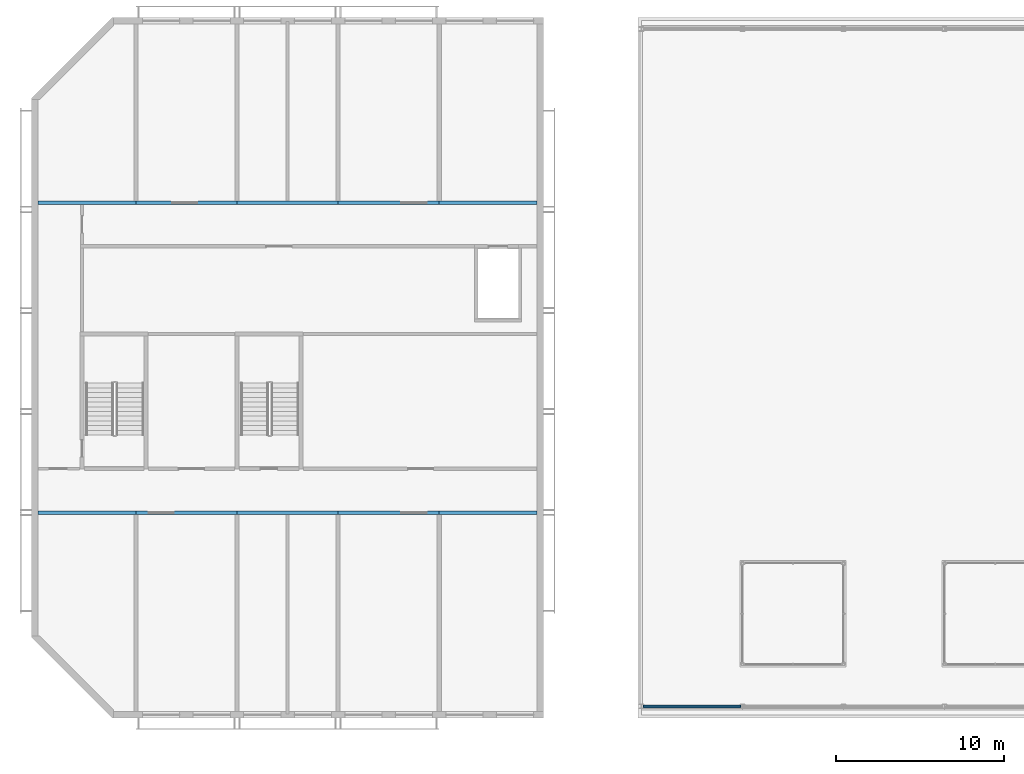
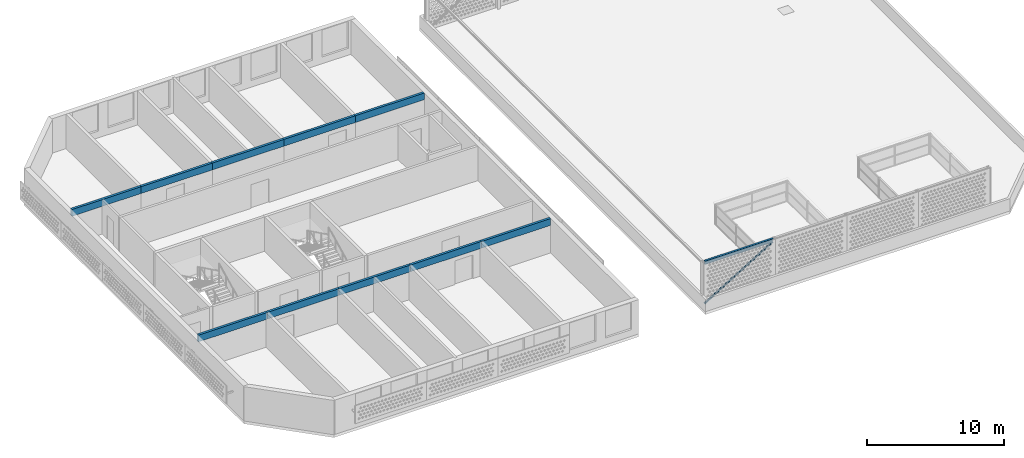
# One storey, part 4 of 18: 11 beams, 1 member.
"""IFC4 building model written with IfcOpenShell, lengths in metres."""

from ifc_helpers import new_model, si_unit, direction, frame, origin, origin_2d, place, context, subcontext, project, spatial, rectangle, hollow_circle, i_section, extrude, source, transform, mapped, material, material_profile, profile_set, type_object, element, save


model = new_model("IFC4")

# Units and contexts
model_context = context("Model", 3, precision=1e-05, world=origin(), true_north=direction((0.0, 1.0)))
body_context = subcontext(model_context, "Body", "Model", "MODEL_VIEW")
ifc_project = project(units=[si_unit("LENGTHUNIT", "METRE"), si_unit("AREAUNIT", "SQUARE_METRE"), si_unit("VOLUMEUNIT", "CUBIC_METRE"), si_unit("PLANEANGLEUNIT", "RADIAN"), si_unit("MASSUNIT", "GRAM", prefix="KILO")], contexts=[model_context])

# Site, building, storey
site_placement = place(None, origin())
site = spatial("IfcSite", under=ifc_project, at=site_placement, CompositionType="ELEMENT")
building_placement = place(site_placement, origin())
building = spatial("IfcBuilding", under=site, at=building_placement, Name="Poui Terraces", CompositionType="ELEMENT")
storey_placement = place(building_placement, frame((0.0, 0.0, 285.60009765625)))
storey = spatial("IfcBuildingStorey", under=building, at=storey_placement, Name="L79 CROWN", CompositionType="ELEMENT", Elevation=285.60009765625)

# Member
ifc_material_1 = material(Name="Steel Grade 350 MPa", Category="steel")
ifc_material_profile_1 = material_profile(ifc_material_1, hollow_circle(Radius=0.084228515625, WallThickness=0.007080078125, at=origin_2d()), Name="168.3x7.1 CHS")
ifc_profile_set_1 = profile_set([ifc_material_profile_1], Name="Steel Grade 350 MPa")
member_type = type_object("IfcMemberType", Name="SCREEN FRAME BRACE 168.3x7.1 CHS", PredefinedType="BRACE", material=ifc_profile_set_1)
member_placement = place(storey_placement, frame((54.126953125, 0.5, 0.199951171875), z_axis=(0.854525101258, 0.0, 0.519410099363), x_axis=(0.0, 1.0, 0.0)))
element("IfcMember", 1, at=member_placement, inside=storey, type_object=member_type, Name="SCREEN FRAME BRACE S1", PredefinedType="BRACE", context=body_context, shape_type="SweptSolid", body=[
    extrude(hollow_circle(Radius=0.084228515625, WallThickness=0.007080078125, at=origin_2d()), origin(), (0.0, 0.0, 1.0), 6.724365234375),
])

# Beams
ifc_material_2 = material(Name="Concrete 50 MPa", Category="concrete")
ifc_material_profile_2 = material_profile(ifc_material_2, rectangle(XDim=0.199951171875, YDim=0.60009765625, at=origin_2d()), Name="RC 200x600")
ifc_profile_set_2 = profile_set([ifc_material_profile_2], Name="Concrete 50 MPa")
beam_type_1 = type_object("IfcBeamType", Name="COUPLING BEAM 200x600 50MPa", PredefinedType="BEAM", material=ifc_profile_set_2)
shared_shape_1 = source(origin(), body_context, "Body", "SweptSolid", [
    extrude(rectangle(XDim=0.199951171875, YDim=0.60009765625, at=origin_2d()), origin(), (0.0, 0.0, 1.0), 5.800048828125),
])
for number, where, z_axis, x_axis, name in (
    (2, (18.199951171875, 12.0, 2.75), (1.0, 0.0, 0.0), (0.0, 1.0, 0.0), "COUPLING BEAM LINE B BAY W1"),
    (3, (42.0, 12.0, 2.75), (1.0, 0.0, 0.0), (0.0, 1.0, 0.0), "COUPLING BEAM LINE B BAY W5"),
    (4, (18.199951171875, 30.39990234375, 2.75), (1.0, 0.0, 0.0), (0.0, 1.0, 0.0), "COUPLING BEAM LINE E BAY W1"),
    (5, (42.0, 30.39990234375, 2.75), (1.0, 0.0, 0.0), (0.0, 1.0, 0.0), "COUPLING BEAM LINE E BAY W5"),
):
    element("IfcBeam", number, at=place(storey_placement, frame(where, z_axis=z_axis, x_axis=x_axis)), inside=storey, type_object=beam_type_1, Name=name, PredefinedType="BEAM", context=body_context, shape_type="MappedRepresentation", body=[
        mapped(shared_shape_1, transform((0.0, 0.0, 0.0))),
    ])
shared_shape_2 = source(origin(), body_context, "Body", "SweptSolid", [
    extrude(rectangle(XDim=0.199951171875, YDim=0.60009765625, at=origin_2d()), origin(), (0.0, 0.0, 1.0), 6.0),
])
for number, where, z_axis, x_axis, name in (
    (6, (24.0, 12.0, 2.75), (1.0, 0.0, 0.0), (0.0, 1.0, 0.0), "COUPLING BEAM LINE B BAY W2"),
    (7, (30.0, 12.0, 2.75), (1.0, 0.0, 0.0), (0.0, 1.0, 0.0), "COUPLING BEAM LINE B BAY W3"),
    (8, (36.0, 12.0, 2.75), (1.0, 0.0, 0.0), (0.0, 1.0, 0.0), "COUPLING BEAM LINE B BAY W4"),
    (9, (24.0, 30.39990234375, 2.75), (1.0, 0.0, 0.0), (0.0, 1.0, 0.0), "COUPLING BEAM LINE E BAY W2"),
    (10, (30.0, 30.39990234375, 2.75), (1.0, 0.0, 0.0), (0.0, 1.0, 0.0), "COUPLING BEAM LINE E BAY W3"),
    (11, (36.0, 30.39990234375, 2.75), (1.0, 0.0, 0.0), (0.0, 1.0, 0.0), "COUPLING BEAM LINE E BAY W4"),
):
    element("IfcBeam", number, at=place(storey_placement, frame(where, z_axis=z_axis, x_axis=x_axis)), inside=storey, type_object=beam_type_1, Name=name, PredefinedType="BEAM", context=body_context, shape_type="MappedRepresentation", body=[
        mapped(shared_shape_2, transform((0.0, 0.0, 0.0))),
    ])
ifc_material_3 = material(Name="Steel Grade 300 MPa", Category="steel")
ifc_material_profile_3 = material_profile(ifc_material_3, i_section(OverallWidth=0.166015625, OverallDepth=0.30712890625, WebThickness=0.006591796875, FlangeThickness=0.01171875, FilletRadius=0.011474609375, at=origin_2d()), Name="310UB46.2")
ifc_profile_set_3 = profile_set([ifc_material_profile_3], Name="Steel Grade 300 MPa")
beam_type_2 = type_object("IfcBeamType", Name="SCREEN FRAME EDGE BEAM 310UB46.2", PredefinedType="BEAM", material=ifc_profile_set_3)
shared_shape_3 = source(origin(), body_context, "Body", "SweptSolid", [
    extrude(i_section(OverallWidth=0.166015625, OverallDepth=0.30712890625, WebThickness=0.006591796875, FlangeThickness=0.01171875, FilletRadius=0.011474609375, at=origin_2d()), origin(), (0.0, 0.0, 1.0), 5.74609375),
])
beam_placement = place(storey_placement, frame((54.126953125, 0.5, 3.84619140625), z_axis=(1.0, 0.0, 0.0), x_axis=(0.0, 1.0, 0.0)))
element("IfcBeam", 12, at=beam_placement, inside=storey, type_object=beam_type_2, Name="SCREEN FRAME EDGE BEAM S1", PredefinedType="BEAM", context=body_context, shape_type="MappedRepresentation", body=[
    mapped(shared_shape_3, transform((0.0, 0.0, 0.0))),
])

save(model, "model.ifc")
